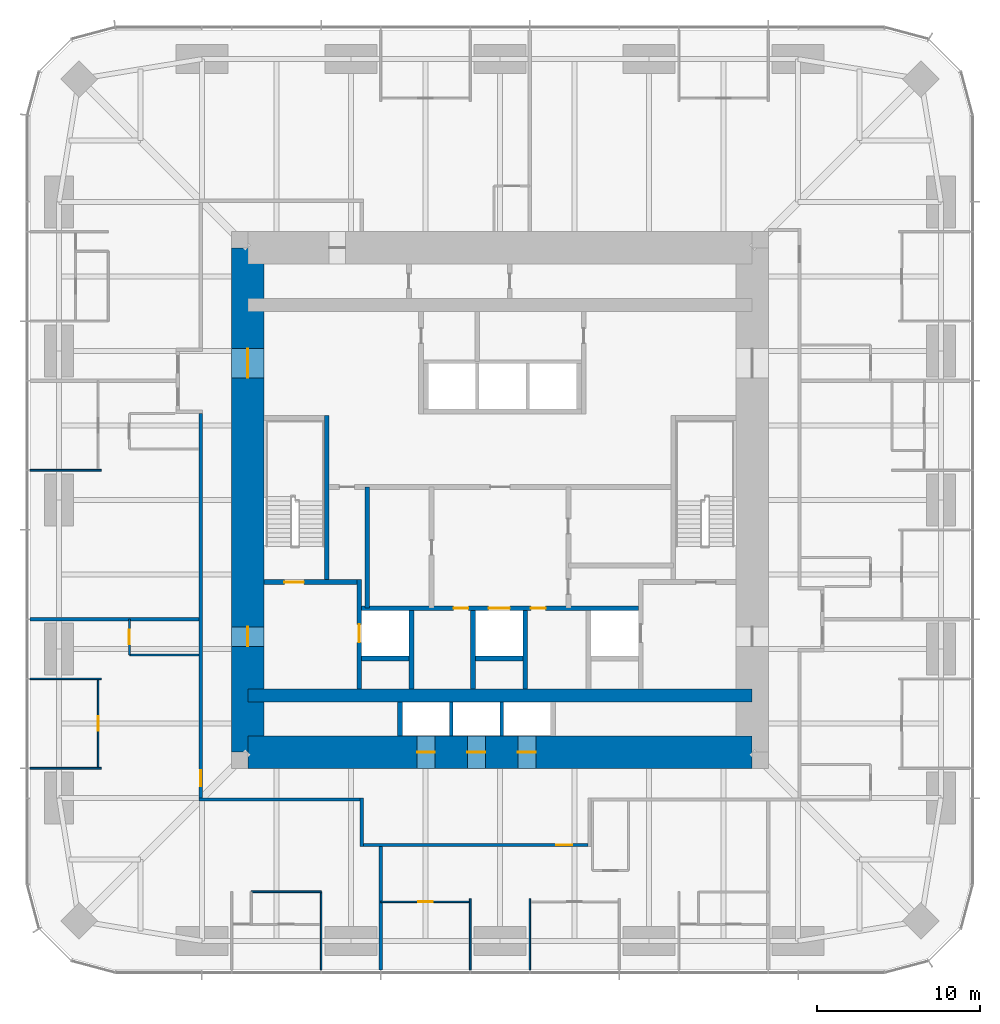
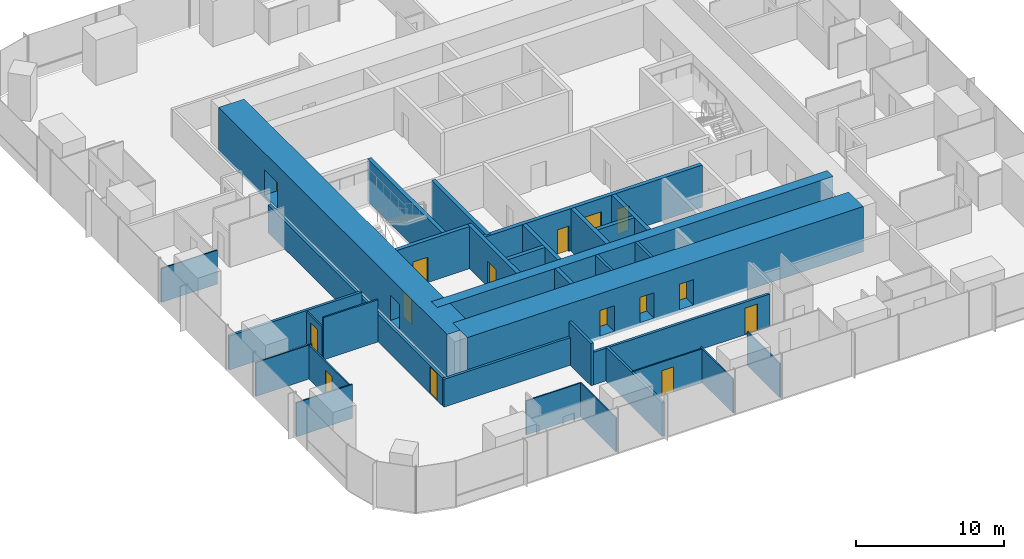
# One storey, part 9 of 13: 33 walls, 15 doors, 15 openings.
"""IFC4 building model written with IfcOpenShell, lengths in metres."""

import ifcopenshell
import ifcopenshell.guid

model = None  # the IFC model being written
_history = None  # IfcOwnerHistory: only IFC2X3 demands one
_inside = {}  # id of a spatial element -> (the spatial element, [elements in it])
_under = {}  # id of a project, library or spatial element -> (it, [spatial elements below it])
_declared = {}  # id of a project -> (the project, [libraries it declares])
_typed = {}  # id of a type object -> (the type object, [elements of that type])
_made_of = {}  # id of a material, layer set ... -> (it, [elements and type objects made of it])


def new_model(schema):
    """Start an empty IFC model of exactly this schema.

    Asked for "IFC4X3", IfcOpenShell would pick the latest addendum, in which some entities
    have other attributes; the version numbers below select the first issue.
    IFC2X3 requires an IfcOwnerHistory on every rooted entity: one is made here for all.
    """
    global model, _history
    if schema == "IFC4X3":
        model = ifcopenshell.file(schema_version=(4, 3, 0, 0))
    else:
        model = ifcopenshell.file(schema=schema)
    _inside.clear()
    _under.clear()
    _declared.clear()
    _typed.clear()
    _made_of.clear()
    _history = None
    if model.schema == "IFC2X3":
        org = make("IfcOrganization", Name="unknown")
        user = make(
            "IfcPersonAndOrganization",
            ThePerson=make("IfcPerson", FamilyName="unknown"),
            TheOrganization=org,
        )
        app = make(
            "IfcApplication",
            ApplicationDeveloper=org,
            Version="unknown",
            ApplicationFullName="unknown",
            ApplicationIdentifier="unknown",
        )
        _history = make(
            "IfcOwnerHistory",
            OwningUser=user,
            OwningApplication=app,
            ChangeAction="ADDED",
            CreationDate=0,
        )
    return model


def make(cls, **values):
    """One entity of the class cls with the attributes given. An attribute that is None is left unset."""
    return model.create_entity(
        cls, **{name: value for name, value in values.items() if value is not None}
    )


def rooted(cls, **values):
    """An entity with a GlobalId (a new one), such as an element, a storey or a relation."""
    return make(cls, GlobalId=ifcopenshell.guid.new(), OwnerHistory=_history, **values)


def si_unit(unit_type, name, prefix=None):
    """IfcSIUnit, for example si_unit("LENGTHUNIT", "METRE", prefix="MILLI")."""
    return make("IfcSIUnit", UnitType=unit_type, Prefix=prefix, Name=name)


def assignment(units):
    """IfcUnitAssignment: the units of a project."""
    return None if units is None else make("IfcUnitAssignment", Units=units)


def point(xyz):
    """IfcCartesianPoint."""
    return None if xyz is None else make("IfcCartesianPoint", Coordinates=xyz)


def direction(xyz):
    """IfcDirection."""
    return None if xyz is None else make("IfcDirection", DirectionRatios=xyz)


def frame(location, z_axis=None, x_axis=None):
    """IfcAxis2Placement3D, a coordinate frame: its origin and axes. An axis left out is left unset."""
    return make(
        "IfcAxis2Placement3D",
        Location=point(location),
        Axis=direction(z_axis),
        RefDirection=direction(x_axis),
    )


def frame_2d(location, x_axis=None):
    """IfcAxis2Placement2D, a coordinate frame in the plane: its origin and x axis."""
    return make(
        "IfcAxis2Placement2D", Location=point(location), RefDirection=direction(x_axis)
    )


def origin():
    """The frame at (0, 0, 0) with its axes left unset."""
    return frame((0.0, 0.0, 0.0))


def place(relative_to, where):
    """IfcLocalPlacement: puts the frame where relative to a parent placement (None: the world)."""
    return make(
        "IfcLocalPlacement", PlacementRelTo=relative_to, RelativePlacement=where
    )


def context(
    kind, dimensions, precision=None, world=None, true_north=None, identifier=None
):
    """IfcGeometricRepresentationContext, for example the 3D "Model" context."""
    return make(
        "IfcGeometricRepresentationContext",
        ContextIdentifier=identifier,
        ContextType=kind,
        CoordinateSpaceDimension=dimensions,
        Precision=precision,
        WorldCoordinateSystem=world,
        TrueNorth=true_north,
    )


def subcontext(parent, identifier, kind, view, scale=None):
    """IfcGeometricRepresentationSubContext, for example "Body" below "Model"."""
    return make(
        "IfcGeometricRepresentationSubContext",
        ContextIdentifier=identifier,
        ContextType=kind,
        ParentContext=parent,
        TargetScale=scale,
        TargetView=view,
    )


def project(units=None, contexts=None):
    """IfcProject with its units and contexts."""
    return rooted(
        "IfcProject",
        Name="project",
        RepresentationContexts=contexts,
        UnitsInContext=assignment(units),
    )


def spatial(cls, under=None, at=None, **own):
    """A site, building, storey or space (cls), placed at a placement, below another one or the project."""
    s = rooted(cls, ObjectPlacement=at, **own)
    if under is not None:
        _under.setdefault(under.id(), (under, []))[1].append(s)
    return s


def profile(cls, at=None, kind="AREA", **sizes):
    """A parametric profile (cls). Its sizes go by their IFC names, for example OverallWidth=200.0."""
    return make(cls, ProfileType=kind, Position=at, **sizes)


def rectangle(**sizes):
    """IfcRectangleProfileDef."""
    return profile("IfcRectangleProfileDef", **sizes)


def extrude(swept, where, along, depth):
    """IfcExtrudedAreaSolid: the profile swept, set in the frame where, extruded along a direction by depth."""
    return make(
        "IfcExtrudedAreaSolid",
        SweptArea=swept,
        Position=where,
        ExtrudedDirection=direction(along),
        Depth=depth,
    )


def shape(context_of_items, identifier, shape_type, items):
    """IfcShapeRepresentation: the items that make up one representation, for example the "Body"."""
    return make(
        "IfcShapeRepresentation",
        ContextOfItems=context_of_items,
        RepresentationIdentifier=identifier,
        RepresentationType=shape_type,
        Items=items,
    )


def material(Name=None, Category=None):
    """IfcMaterial."""
    return make("IfcMaterial", Name=Name, Category=Category)


def layer(
    of_material, thickness, ventilated=None, Name=None, Category=None, Priority=None
):
    """IfcMaterialLayer: one layer of a wall or slab, of a material (None: an air gap)."""
    return make(
        "IfcMaterialLayer",
        Material=of_material,
        LayerThickness=thickness,
        IsVentilated=ventilated,
        Name=Name,
        Category=Category,
        Priority=Priority,
    )


def layer_set(layers, Name=None):
    """IfcMaterialLayerSet."""
    return make("IfcMaterialLayerSet", MaterialLayers=layers, LayerSetName=Name)


def made_of(thing, what):
    """Note that an element or type object is made of a material, layer set ...; save() writes the relation."""
    if what is not None:
        _made_of.setdefault(what.id(), (what, []))[1].append(thing)
    return thing


def type_object(cls, material=None, **own):
    """A type object (cls), such as IfcWallType, which elements share."""
    return made_of(rooted(cls, **own), material)


def element(
    cls,
    number,
    at=None,
    inside=None,
    cuts=None,
    type_object=None,
    material=None,
    context=None,
    identifier="Body",
    shape_type=None,
    held_by="IfcProductDefinitionShape",
    body=None,
    shapes=None,
    **own,
):
    """One element of the class cls, such as IfcWall. Its Tag is "e" and its number.

    at: its placement. inside: the storey or other place that contains it. cuts: it is an
    opening in that element (IfcRelVoidsElement). A single representation is given by context,
    identifier, shape_type and body (its items); several are given by shapes. held_by: the class
    of the entity that holds the representations. save() writes the other relations.
    """
    e = rooted(cls, Tag="e%d" % number, ObjectPlacement=at, **own)
    if body is not None:
        shapes = [shape(context, identifier, shape_type, body)]
    if shapes is not None:
        e.Representation = make(held_by, Representations=shapes)
    if inside is not None:
        _inside.setdefault(inside.id(), (inside, []))[1].append(e)
    if cuts is not None:
        rooted(
            "IfcRelVoidsElement", RelatingBuildingElement=cuts, RelatedOpeningElement=e
        )
    if type_object is not None:
        _typed.setdefault(type_object.id(), (type_object, []))[1].append(e)
    return made_of(e, material)


def fill(opening, filler):
    """IfcRelFillsElement: the door or window that sits in an opening."""
    return rooted(
        "IfcRelFillsElement",
        RelatingOpeningElement=opening,
        RelatedBuildingElement=filler,
    )


def aggregate(whole, parts):
    """IfcRelAggregates: a whole, such as a stair, and the parts it consists of."""
    return rooted("IfcRelAggregates", RelatingObject=whole, RelatedObjects=parts)


def save(model, path):
    """Write the relations noted so far, then the file.

    IfcRelAggregates (storeys below a building ...), IfcRelContainedInSpatialStructure (elements
    in a storey), IfcRelDefinesByType, IfcRelAssociatesMaterial and IfcRelDeclares: one each for
    every whole, place, type object, material and project.
    """
    for whole, parts in _under.values():
        aggregate(whole, parts)
    for where, things in _inside.values():
        rooted(
            "IfcRelContainedInSpatialStructure",
            RelatedElements=things,
            RelatingStructure=where,
        )
    for kind, things in _typed.values():
        rooted("IfcRelDefinesByType", RelatedObjects=things, RelatingType=kind)
    for what, things in _made_of.values():
        rooted("IfcRelAssociatesMaterial", RelatedObjects=things, RelatingMaterial=what)
    for by, libraries in _declared.values():
        rooted("IfcRelDeclares", RelatingContext=by, RelatedDefinitions=libraries)
    model.write(path)


model = new_model("IFC4")

# Units and contexts
model_context = context("Model", 3, precision=1e-05, world=origin(), true_north=direction((0.0, 1.0)))
body_context = subcontext(model_context, "Body", "Model", "MODEL_VIEW")
ifc_project = project(units=[si_unit("LENGTHUNIT", "METRE"), si_unit("AREAUNIT", "SQUARE_METRE"), si_unit("VOLUMEUNIT", "CUBIC_METRE"), si_unit("PLANEANGLEUNIT", "RADIAN"), si_unit("MASSUNIT", "GRAM", prefix="KILO")], contexts=[model_context])

# Site, building, storey
site_placement = place(None, origin())
site = spatial("IfcSite", under=ifc_project, at=site_placement, CompositionType="ELEMENT")
building_placement = place(site_placement, origin())
building = spatial("IfcBuilding", under=site, at=building_placement, Name="Khuree Lantern Residences", CompositionType="ELEMENT")
storey_placement = place(building_placement, frame((0.0, 0.0, 129.75)))
storey = spatial("IfcBuildingStorey", under=building, at=storey_placement, Name="L32", CompositionType="ELEMENT", Elevation=129.75)

# Wall, opening, door
ifc_material_1 = material(Name="Moisture-resistant gypsum board on steel studs", Category="steel")
ifc_layer_1 = layer(ifc_material_1, 0.125)
ifc_layer_set_1 = layer_set([ifc_layer_1], Name="BATHROOM WALL BTW125")
wall_type_1 = type_object("IfcWallType", Name="BATHROOM WALL BTW125", PredefinedType="PARTITIONING", material=ifc_layer_set_1)
wall_1_placement = place(storey_placement, frame((-22.77978515625, -7.327880859375, 0.0), z_axis=(0.0, 0.0, 1.0), x_axis=(0.0, -1.0, 0.0)))
wall_1 = element("IfcWall", 1, at=wall_1_placement, inside=storey, type_object=wall_type_1, Name="L32 BATHROOM WALL 05", PredefinedType="PARTITIONING", context=body_context, shape_type="SweptSolid", body=[
    extrude(rectangle(XDim=2.2001953125, YDim=0.125, at=frame_2d((1.10009765625, 0.0))), origin(), (0.0, 0.0, 1.0), 2.699951171875),
])
opening_1_placement = place(wall_1_placement, frame((0.64990234375, 0.0, 0.0)))
opening_1 = element("IfcOpeningElement", 2, at=opening_1_placement, cuts=wall_1, Name="Opening 32-045", PredefinedType="OPENING", context=body_context, shape_type="SweptSolid", body=[
    extrude(rectangle(XDim=0.89990234375, YDim=2.10009765625, at=frame_2d((0.449951171875, 1.050048828125))), frame((0.0, 0.072509765625, 0.0), z_axis=(0.0, -1.0, 0.0), x_axis=(1.0, 0.0, 0.0)), (0.0, 0.0, 1.0), 0.14501953125),
])
ifc_material_2 = material(Name="Timber door leaf in hardwood frame", Category="wood")
door_type_1 = type_object("IfcDoorType", Name="BATHROOM DOOR 900X2100", OperationType="SINGLE_SWING_LEFT", PredefinedType="DOOR", material=ifc_material_2)
door_1_placement = place(opening_1_placement, origin())
door_1 = element("IfcDoor", 3, at=door_1_placement, inside=storey, type_object=door_type_1, Name="Bathroom door 32-045", OperationType="SINGLE_SWING_LEFT", OverallHeight=2.10009765625, OverallWidth=0.89990234375, PredefinedType="DOOR", context=body_context, shape_type="SweptSolid", body=[
    extrude(rectangle(XDim=0.89990234375, YDim=2.10009765625, at=frame_2d((0.449951171875, 1.050048828125))), frame((0.0, 0.02490234375, 0.0), z_axis=(0.0, -1.0, 0.0), x_axis=(1.0, 0.0, 0.0)), (0.0, 0.0, 1.0), 0.050048828125),
])
fill(opening_1, door_1)

# Wall
wall_2_placement = place(storey_placement, frame((-18.5, -9.528076171875, 0.0), z_axis=(0.0, 0.0, 1.0), x_axis=(-1.0, 0.0, 0.0)))
element("IfcWall", 4, at=wall_2_placement, inside=storey, type_object=wall_type_1, Name="L32 BATHROOM WALL 05", PredefinedType="PARTITIONING", context=body_context, shape_type="SweptSolid", body=[
    extrude(rectangle(XDim=4.27978515625, YDim=0.125, at=frame_2d((2.139892578125, 0.0))), origin(), (0.0, 0.0, 1.0), 3.5),
])

# Wall, opening, door
ifc_material_3 = material(Name="Dense concrete blockwork", Category="masonry")
ifc_layer_2 = layer(ifc_material_3, 0.300048828125)
ifc_layer_set_2 = layer_set([ifc_layer_2], Name="CORE PARTITION WALL CPW300 EI 120")
wall_type_2 = type_object("IfcWallType", Name="CORE PARTITION WALL CPW300 EI 120", PredefinedType="PARTITIONING", material=ifc_layer_set_2)
wall_3_placement = place(storey_placement, frame((-8.64990234375, -11.60009765625, 0.0), z_axis=(0.0, 0.0, 1.0), x_axis=(0.0, 1.0, 0.0)))
wall_3 = element("IfcWall", 5, at=wall_3_placement, inside=storey, type_object=wall_type_2, Name="L32 CORE WALL FL1W", PredefinedType="PARTITIONING", context=body_context, shape_type="SweptSolid", body=[
    extrude(rectangle(XDim=6.7001953125, YDim=0.300048828125, at=frame_2d((3.35009765625, 0.0))), origin(), (0.0, 0.0, 1.0), 3.5),
])
opening_2_placement = place(wall_3_placement, frame((2.85009765625, 0.0, 0.0)))
opening_2 = element("IfcOpeningElement", 6, at=opening_2_placement, cuts=wall_3, Name="Opening 32-007", PredefinedType="OPENING", context=body_context, shape_type="SweptSolid", body=[
    extrude(rectangle(XDim=1.10009765625, YDim=2.10009765625, at=frame_2d((0.550048828125, 1.050048828125))), frame((0.0, 0.16015625, 0.0), z_axis=(0.0, -1.0, 0.0), x_axis=(1.0, 0.0, 0.0)), (0.0, 0.0, 1.0), 0.320068359375),
])
ifc_material_4 = material(Name="Stainless steel lift landing door", Category="steel")
door_type_2 = type_object("IfcDoorType", Name="LIFT LANDING DOOR 1100X2100 E 120", OperationType="DOUBLE_DOOR_SLIDING", PredefinedType="DOOR", material=ifc_material_4)
door_2_placement = place(opening_2_placement, origin())
door_2 = element("IfcDoor", 7, at=door_2_placement, inside=storey, type_object=door_type_2, Name="Landing door FL1 32-007", OperationType="DOUBLE_DOOR_SLIDING", OverallHeight=2.10009765625, OverallWidth=1.10009765625, PredefinedType="DOOR", context=body_context, shape_type="SweptSolid", body=[
    extrude(rectangle(XDim=1.10009765625, YDim=2.10009765625, at=frame_2d((0.550048828125, 1.050048828125))), frame((0.0, 0.02490234375, 0.0), z_axis=(0.0, -1.0, 0.0), x_axis=(1.0, 0.0, 0.0)), (0.0, 0.0, 1.0), 0.050048828125),
])
fill(opening_2, door_2)

# Wall, openings, doors
wall_4_placement = place(storey_placement, frame((-8.5, -6.64990234375, 0.0), z_axis=(0.0, 0.0, 1.0), x_axis=(1.0, 0.0, 0.0)))
wall_4 = element("IfcWall", 8, at=wall_4_placement, inside=storey, type_object=wall_type_2, Name="L32 CORE WALL FLROW", PredefinedType="PARTITIONING", context=body_context, shape_type="SweptSolid", body=[
    extrude(rectangle(XDim=17.0, YDim=0.300048828125, at=frame_2d((8.5, 0.0))), origin(), (0.0, 0.0, 1.0), 3.5),
])
opening_3_placement = place(wall_4_placement, frame((7.800048828125, 0.0, 0.0)))
opening_3 = element("IfcOpeningElement", 9, at=opening_3_placement, cuts=wall_4, Name="Opening 32-012", PredefinedType="OPENING", context=body_context, shape_type="SweptSolid", body=[
    extrude(rectangle(XDim=1.300048828125, YDim=2.39990234375, at=frame_2d((0.64990234375, 1.199951171875))), frame((0.0, 0.16015625, 0.0), z_axis=(0.0, -1.0, 0.0), x_axis=(1.0, 0.0, 0.0)), (0.0, 0.0, 1.0), 0.320068359375),
])
opening_4_placement = place(wall_4_placement, frame((5.64990234375, 0.0, 0.0)))
opening_4 = element("IfcOpeningElement", 10, at=opening_4_placement, cuts=wall_4, Name="Opening 32-014", PredefinedType="OPENING", context=body_context, shape_type="SweptSolid", body=[
    extrude(rectangle(XDim=0.89990234375, YDim=2.10009765625, at=frame_2d((0.449951171875, 1.050048828125))), frame((0.0, 0.16015625, 0.0), z_axis=(0.0, -1.0, 0.0), x_axis=(1.0, 0.0, 0.0)), (0.0, 0.0, 1.0), 0.320068359375),
])
opening_5_placement = place(wall_4_placement, frame((10.39990234375, 0.0, 0.0)))
opening_5 = element("IfcOpeningElement", 11, at=opening_5_placement, cuts=wall_4, Name="Opening 32-015", PredefinedType="OPENING", context=body_context, shape_type="SweptSolid", body=[
    extrude(rectangle(XDim=0.89990234375, YDim=2.10009765625, at=frame_2d((0.449951171875, 1.050048828125))), frame((0.0, 0.16015625, 0.0), z_axis=(0.0, -1.0, 0.0), x_axis=(1.0, 0.0, 0.0)), (0.0, 0.0, 1.0), 0.320068359375),
])
ifc_material_5 = material(Name="Steel door leaf in steel frame", Category="steel")
door_type_3 = type_object("IfcDoorType", Name="DOOR 900X2100 EI 60", OperationType="SINGLE_SWING_LEFT", PredefinedType="DOOR", material=ifc_material_5)
door_3_placement = place(opening_4_placement, origin())
door_3 = element("IfcDoor", 12, at=door_3_placement, inside=storey, type_object=door_type_3, Name="Refuse chute room door 32-014", OperationType="SINGLE_SWING_LEFT", OverallHeight=2.10009765625, OverallWidth=0.89990234375, PredefinedType="DOOR", context=body_context, shape_type="SweptSolid", body=[
    extrude(rectangle(XDim=0.89990234375, YDim=2.10009765625, at=frame_2d((0.449951171875, 1.050048828125))), frame((0.0, 0.02490234375, 0.0), z_axis=(0.0, -1.0, 0.0), x_axis=(1.0, 0.0, 0.0)), (0.0, 0.0, 1.0), 0.050048828125),
])
fill(opening_4, door_3)
door_type_4 = type_object("IfcDoorType", Name="DOOR 900X2100 EI 60 RIGHT HAND", OperationType="SINGLE_SWING_RIGHT", PredefinedType="DOOR", material=ifc_material_5)
door_4_placement = place(opening_5_placement, origin())
door_4 = element("IfcDoor", 13, at=door_4_placement, inside=storey, type_object=door_type_4, Name="Electrical and plumbing riser door 32-015", OperationType="SINGLE_SWING_RIGHT", OverallHeight=2.10009765625, OverallWidth=0.89990234375, PredefinedType="DOOR", context=body_context, shape_type="SweptSolid", body=[
    extrude(rectangle(XDim=0.89990234375, YDim=2.10009765625, at=frame_2d((0.449951171875, 1.050048828125))), frame((0.0, 0.02490234375, 0.0), z_axis=(0.0, -1.0, 0.0), x_axis=(1.0, 0.0, 0.0)), (0.0, 0.0, 1.0), 0.050048828125),
])
fill(opening_5, door_4)
door_type_5 = type_object("IfcDoorType", Name="LIFT LANDING DOOR 1300X2400 E 60", OperationType="DOUBLE_DOOR_SLIDING", PredefinedType="DOOR", material=ifc_material_4)
door_5_placement = place(opening_3_placement, origin())
door_5 = element("IfcDoor", 14, at=door_5_placement, inside=storey, type_object=door_type_5, Name="Landing door SL1 32-012", OperationType="DOUBLE_DOOR_SLIDING", OverallHeight=2.39990234375, OverallWidth=1.300048828125, PredefinedType="DOOR", context=body_context, shape_type="SweptSolid", body=[
    extrude(rectangle(XDim=1.300048828125, YDim=2.39990234375, at=frame_2d((0.64990234375, 1.199951171875))), frame((0.0, 0.02490234375, 0.0), z_axis=(0.0, -1.0, 0.0), x_axis=(1.0, 0.0, 0.0)), (0.0, 0.0, 1.0), 0.050048828125),
])
fill(opening_3, door_5)

# Walls
for number, where, z_axis, x_axis, name in (
    (15, (-5.449951171875, -11.60009765625, 0.0), (0.0, 0.0, 1.0), (0.0, 1.0, 0.0), "L32 CORE WALL FL1E"),
    (16, (-1.64990234375, -11.60009765625, 0.0), (0.0, 0.0, 1.0), (0.0, 1.0, 0.0), "L32 CORE WALL SL1W"),
    (17, (1.550048828125, -11.60009765625, 0.0), (0.0, 0.0, 1.0), (0.0, 1.0, 0.0), "L32 CORE WALL SL1E"),
):
    element("IfcWall", number, at=place(storey_placement, frame(where, z_axis=z_axis, x_axis=x_axis)), inside=storey, type_object=wall_type_2, Name=name, PredefinedType="PARTITIONING", context=body_context, shape_type="SweptSolid", body=[
        extrude(rectangle(XDim=4.800048828125, YDim=0.300048828125, at=frame_2d((2.39990234375, 0.0))), origin(), (0.0, 0.0, 1.0), 3.5),
    ])
for number, where, z_axis, x_axis, name in (
    (18, (-8.5, -9.75, 0.0), (0.0, 0.0, 1.0), (1.0, 0.0, 0.0), "L32 CORE WALL FL1S"),
    (19, (-1.5, -9.75, 0.0), (0.0, 0.0, 1.0), (1.0, 0.0, 0.0), "L32 CORE WALL SL1S"),
):
    element("IfcWall", number, at=place(storey_placement, frame(where, z_axis=z_axis, x_axis=x_axis)), inside=storey, type_object=wall_type_2, Name=name, PredefinedType="PARTITIONING", context=body_context, shape_type="SweptSolid", body=[
        extrude(rectangle(XDim=2.89990234375, YDim=0.300048828125, at=frame_2d((1.449951171875, 0.0))), origin(), (0.0, 0.0, 1.0), 3.5),
    ])
wall_5_placement = place(storey_placement, frame((-6.14990234375, -14.5, 0.0), z_axis=(0.0, 0.0, 1.0), x_axis=(0.0, 1.0, 0.0)))
element("IfcWall", 20, at=wall_5_placement, inside=storey, type_object=wall_type_2, Name="L32 CORE WALL PMW", PredefinedType="PARTITIONING", context=body_context, shape_type="SweptSolid", body=[
    extrude(rectangle(XDim=2.10009765625, YDim=0.300048828125, at=frame_2d((1.050048828125, 0.0))), origin(), (0.0, 0.0, 1.0), 3.5),
])
wall_6_placement = place(storey_placement, frame((-8.1630859375, -6.64990234375, 0.0), z_axis=(0.0, 0.0, 1.0), x_axis=(0.0, 1.0, 0.0)))
element("IfcWall", 21, at=wall_6_placement, inside=storey, type_object=wall_type_2, Name="L32 CORE WALL WV", PredefinedType="PARTITIONING", context=body_context, shape_type="SweptSolid", body=[
    extrude(rectangle(XDim=7.449951171875, YDim=0.300048828125, at=frame_2d((3.72509765625, 0.0))), origin(), (0.0, 0.0, 1.0), 3.5),
])

# Wall, opening, door
ifc_material_6 = material(Name="Gypsum board on steel studs", Category="steel")
ifc_layer_3 = layer(ifc_material_6, 0.199951171875)
ifc_layer_set_3 = layer_set([ifc_layer_3], Name="CORRIDOR WALL CRW200 EI 60")
wall_type_3 = type_object("IfcWallType", Name="CORRIDOR WALL CRW200 EI 60", PredefinedType="PARTITIONING", material=ifc_layer_set_3)
wall_7_placement = place(storey_placement, frame((-18.39990234375, 5.327880859375, 0.0), z_axis=(0.0, 0.0, 1.0), x_axis=(0.0, -1.0, 0.0)))
wall_7 = element("IfcWall", 22, at=wall_7_placement, inside=storey, type_object=wall_type_3, Name="L32 CORRIDOR WALL WEST 2", PredefinedType="PARTITIONING", context=body_context, shape_type="SweptSolid", body=[
    extrude(rectangle(XDim=23.6279296875, YDim=0.199951171875, at=frame_2d((11.81396484375, 0.0))), origin(), (0.0, 0.0, 1.0), 2.300048828125),
])
opening_6_placement = place(wall_7_placement, frame((21.926025390625, 0.0, 0.0)))
opening_6 = element("IfcOpeningElement", 23, at=opening_6_placement, cuts=wall_7, Name="Opening 32-046", PredefinedType="OPENING", context=body_context, shape_type="SweptSolid", body=[
    extrude(rectangle(XDim=1.0, YDim=2.199951171875, at=frame_2d((0.5, 1.10009765625))), frame((0.0, 0.10986328125, 0.0), z_axis=(0.0, -1.0, 0.0), x_axis=(1.0, 0.0, 0.0)), (0.0, 0.0, 1.0), 0.219970703125),
])
door_type_6 = type_object("IfcDoorType", Name="APARTMENT ENTRANCE DOOR 1000X2200 EI 30S RIGHT HAND", OperationType="SINGLE_SWING_RIGHT", PredefinedType="DOOR", material=ifc_material_2)
door_6_placement = place(opening_6_placement, origin())
door_6 = element("IfcDoor", 24, at=door_6_placement, inside=storey, type_object=door_type_6, Name="Apartment 05 entrance door 32-046", OperationType="SINGLE_SWING_RIGHT", OverallHeight=2.199951171875, OverallWidth=1.0, PredefinedType="DOOR", context=body_context, shape_type="SweptSolid", body=[
    extrude(rectangle(XDim=1.0, YDim=2.199951171875, at=frame_2d((0.5, 1.10009765625))), frame((0.0, 0.02490234375, 0.0), z_axis=(0.0, -1.0, 0.0), x_axis=(1.0, 0.0, 0.0)), (0.0, 0.0, 1.0), 0.050048828125),
])
fill(opening_6, door_6)

# Wall
wall_8_placement = place(storey_placement, frame((-8.5, -18.300048828125, 0.0), z_axis=(0.0, 0.0, 1.0), x_axis=(0.0, -1.0, 0.0)))
element("IfcWall", 25, at=wall_8_placement, inside=storey, type_object=wall_type_3, Name="L32 LIFT LOBBY WALL", PredefinedType="PARTITIONING", context=body_context, shape_type="SweptSolid", body=[
    extrude(rectangle(XDim=3.0, YDim=0.199951171875, at=frame_2d((1.5, 0.0))), origin(), (0.0, 0.0, 1.0), 3.5),
])

# Wall, opening, door
wall_9_placement = place(storey_placement, frame((5.39990234375, -21.199951171875, 0.0), z_axis=(0.0, 0.0, 1.0), x_axis=(-1.0, 0.0, 0.0)))
wall_9 = element("IfcWall", 26, at=wall_9_placement, inside=storey, type_object=wall_type_3, Name="L32 LIFT LOBBY WALL", PredefinedType="PARTITIONING", context=body_context, shape_type="SweptSolid", body=[
    extrude(rectangle(XDim=13.7998046875, YDim=0.199951171875, at=frame_2d((6.89990234375, 0.0))), origin(), (0.0, 0.0, 1.0), 2.699951171875),
])
opening_7_placement = place(wall_9_placement, frame((0.9580078125, 0.0, 0.0)))
opening_7 = element("IfcOpeningElement", 27, at=opening_7_placement, cuts=wall_9, Name="Opening 32-052", PredefinedType="OPENING", context=body_context, shape_type="SweptSolid", body=[
    extrude(rectangle(XDim=1.0, YDim=2.199951171875, at=frame_2d((0.5, 1.10009765625))), frame((0.0, 0.10986328125, 0.0), z_axis=(0.0, -1.0, 0.0), x_axis=(1.0, 0.0, 0.0)), (0.0, 0.0, 1.0), 0.219970703125),
])
door_type_7 = type_object("IfcDoorType", Name="APARTMENT ENTRANCE DOOR 1000X2200 EI 30S", OperationType="SINGLE_SWING_LEFT", PredefinedType="DOOR", material=ifc_material_2)
door_7_placement = place(opening_7_placement, origin())
door_7 = element("IfcDoor", 28, at=door_7_placement, inside=storey, type_object=door_type_7, Name="Apartment 06 entrance door 32-052", OperationType="SINGLE_SWING_LEFT", OverallHeight=2.199951171875, OverallWidth=1.0, PredefinedType="DOOR", context=body_context, shape_type="SweptSolid", body=[
    extrude(rectangle(XDim=1.0, YDim=2.199951171875, at=frame_2d((0.5, 1.10009765625))), frame((0.0, 0.02490234375, 0.0), z_axis=(0.0, -1.0, 0.0), x_axis=(1.0, 0.0, 0.0)), (0.0, 0.0, 1.0), 0.050048828125),
])
fill(opening_7, door_7)

# Wall
wall_10_placement = place(storey_placement, frame((-8.60009765625, -18.39990234375, 0.0), z_axis=(0.0, 0.0, 1.0), x_axis=(-1.0, 0.0, 0.0)))
element("IfcWall", 29, at=wall_10_placement, inside=storey, type_object=wall_type_3, Name="L32 CORRIDOR WALL SOUTH 2", PredefinedType="PARTITIONING", context=body_context, shape_type="SweptSolid", body=[
    extrude(rectangle(XDim=9.89990234375, YDim=0.199951171875, at=frame_2d((4.949951171875, 0.0))), origin(), (0.0, 0.0, 1.0), 2.300048828125),
])

# Wall, openings, doors
ifc_material_7 = material(Name="Concrete C70/85", Category="concrete")
ifc_layer_4 = layer(ifc_material_7, 2.0)
ifc_layer_set_4 = layer_set([ifc_layer_4], Name="CW2000-C70 CORE WALL C70 2000")
wall_type_4 = type_object("IfcWallType", Name="CW2000-C70 CORE WALL C70 2000", PredefinedType="SHEAR", material=ifc_layer_set_4)
wall_11_placement = place(storey_placement, frame((-15.5, -15.5, -0.25), z_axis=(0.0, 0.0, 1.0), x_axis=(1.0, 0.0, 0.0)))
wall_11 = element("IfcWall", 30, at=wall_11_placement, inside=storey, type_object=wall_type_4, Name="Core wall S", PredefinedType="SHEAR", context=body_context, shape_type="SweptSolid", body=[
    extrude(rectangle(XDim=31.0, YDim=2.0, at=frame_2d((15.5, 0.0))), origin(), (0.0, 0.0, 1.0), 3.75),
])
opening_8_placement = place(wall_11_placement, frame((10.39990234375, 0.0, 0.25)))
opening_8 = element("IfcOpeningElement", 31, at=opening_8_placement, cuts=wall_11, Name="Opening 32-009", PredefinedType="OPENING", context=body_context, shape_type="SweptSolid", body=[
    extrude(rectangle(XDim=1.10009765625, YDim=2.10009765625, at=frame_2d((0.550048828125, 1.050048828125))), frame((0.0, 1.010009765625, 0.0), z_axis=(0.0, -1.0, 0.0), x_axis=(1.0, 0.0, 0.0)), (0.0, 0.0, 1.0), 2.02001953125),
])
opening_9_placement = place(wall_11_placement, frame((13.5, 0.0, 0.25)))
opening_9 = element("IfcOpeningElement", 32, at=opening_9_placement, cuts=wall_11, Name="Opening 32-010", PredefinedType="OPENING", context=body_context, shape_type="SweptSolid", body=[
    extrude(rectangle(XDim=1.10009765625, YDim=2.10009765625, at=frame_2d((0.550048828125, 1.050048828125))), frame((0.0, 1.010009765625, 0.0), z_axis=(0.0, -1.0, 0.0), x_axis=(1.0, 0.0, 0.0)), (0.0, 0.0, 1.0), 2.02001953125),
])
opening_10_placement = place(wall_11_placement, frame((16.60009765625, 0.0, 0.25)))
opening_10 = element("IfcOpeningElement", 33, at=opening_10_placement, cuts=wall_11, Name="Opening 32-011", PredefinedType="OPENING", context=body_context, shape_type="SweptSolid", body=[
    extrude(rectangle(XDim=1.10009765625, YDim=2.10009765625, at=frame_2d((0.550048828125, 1.050048828125))), frame((0.0, 1.010009765625, 0.0), z_axis=(0.0, -1.0, 0.0), x_axis=(1.0, 0.0, 0.0)), (0.0, 0.0, 1.0), 2.02001953125),
])
door_type_8 = type_object("IfcDoorType", Name="LIFT LANDING DOOR 1100X2100 E 60", OperationType="DOUBLE_DOOR_SLIDING", PredefinedType="DOOR", material=ifc_material_4)
door_8_placement = place(opening_8_placement, origin())
door_8 = element("IfcDoor", 34, at=door_8_placement, inside=storey, type_object=door_type_8, Name="Landing door PM1 32-009", OperationType="DOUBLE_DOOR_SLIDING", OverallHeight=2.10009765625, OverallWidth=1.10009765625, PredefinedType="DOOR", context=body_context, shape_type="SweptSolid", body=[
    extrude(rectangle(XDim=1.10009765625, YDim=2.10009765625, at=frame_2d((0.550048828125, 1.050048828125))), frame((0.0, 0.02490234375, 0.0), z_axis=(0.0, -1.0, 0.0), x_axis=(1.0, 0.0, 0.0)), (0.0, 0.0, 1.0), 0.050048828125),
])
fill(opening_8, door_8)
door_9_placement = place(opening_9_placement, origin())
door_9 = element("IfcDoor", 35, at=door_9_placement, inside=storey, type_object=door_type_8, Name="Landing door PM2 32-010", OperationType="DOUBLE_DOOR_SLIDING", OverallHeight=2.10009765625, OverallWidth=1.10009765625, PredefinedType="DOOR", context=body_context, shape_type="SweptSolid", body=[
    extrude(rectangle(XDim=1.10009765625, YDim=2.10009765625, at=frame_2d((0.550048828125, 1.050048828125))), frame((0.0, 0.02490234375, 0.0), z_axis=(0.0, -1.0, 0.0), x_axis=(1.0, 0.0, 0.0)), (0.0, 0.0, 1.0), 0.050048828125),
])
fill(opening_9, door_9)
door_10_placement = place(opening_10_placement, origin())
door_10 = element("IfcDoor", 36, at=door_10_placement, inside=storey, type_object=door_type_8, Name="Landing door PM3 32-011", OperationType="DOUBLE_DOOR_SLIDING", OverallHeight=2.10009765625, OverallWidth=1.10009765625, PredefinedType="DOOR", context=body_context, shape_type="SweptSolid", body=[
    extrude(rectangle(XDim=1.10009765625, YDim=2.10009765625, at=frame_2d((0.550048828125, 1.050048828125))), frame((0.0, 0.02490234375, 0.0), z_axis=(0.0, -1.0, 0.0), x_axis=(1.0, 0.0, 0.0)), (0.0, 0.0, 1.0), 0.050048828125),
])
fill(opening_10, door_10)

wall_12_placement = place(storey_placement, frame((-15.5, -15.5, -0.25), z_axis=(0.0, 0.0, 1.0), x_axis=(0.0, 1.0, 0.0)))
wall_12 = element("IfcWall", 37, at=wall_12_placement, inside=storey, type_object=wall_type_4, Name="Core wall W", PredefinedType="SHEAR", context=body_context, shape_type="SweptSolid", body=[
    extrude(rectangle(XDim=31.0, YDim=2.0, at=frame_2d((15.5, 0.0))), origin(), (0.0, 0.0, 1.0), 3.75),
])
opening_11_placement = place(wall_12_placement, frame((6.5, 0.0, 0.25)))
opening_11 = element("IfcOpeningElement", 38, at=opening_11_placement, cuts=wall_12, Name="Opening 32-002", PredefinedType="OPENING", context=body_context, shape_type="SweptSolid", body=[
    extrude(rectangle(XDim=1.199951171875, YDim=2.10009765625, at=frame_2d((0.60009765625, 1.050048828125))), frame((0.0, 1.010009765625, 0.0), z_axis=(0.0, -1.0, 0.0), x_axis=(1.0, 0.0, 0.0)), (0.0, 0.0, 1.0), 2.02001953125),
])
opening_12_placement = place(wall_12_placement, frame((23.0, 0.0, 0.25)))
opening_12 = element("IfcOpeningElement", 39, at=opening_12_placement, cuts=wall_12, Name="Opening 32-003", PredefinedType="OPENING", context=body_context, shape_type="SweptSolid", body=[
    extrude(rectangle(XDim=1.800048828125, YDim=2.10009765625, at=frame_2d((0.89990234375, 1.050048828125))), frame((0.0, 1.010009765625, 0.0), z_axis=(0.0, -1.0, 0.0), x_axis=(1.0, 0.0, 0.0)), (0.0, 0.0, 1.0), 2.02001953125),
])
door_type_9 = type_object("IfcDoorType", Name="LOBBY DOOR 1200X2100 EI 120", OperationType="SINGLE_SWING_LEFT", PredefinedType="DOOR", material=ifc_material_5)
door_11_placement = place(opening_11_placement, origin())
door_11 = element("IfcDoor", 40, at=door_11_placement, inside=storey, type_object=door_type_9, Name="Firefighting lobby door 32-002", OperationType="SINGLE_SWING_LEFT", OverallHeight=2.10009765625, OverallWidth=1.199951171875, PredefinedType="DOOR", context=body_context, shape_type="SweptSolid", body=[
    extrude(rectangle(XDim=1.199951171875, YDim=2.10009765625, at=frame_2d((0.60009765625, 1.050048828125))), frame((0.0, 0.02490234375, 0.0), z_axis=(0.0, -1.0, 0.0), x_axis=(1.0, 0.0, 0.0)), (0.0, 0.0, 1.0), 0.050048828125),
])
fill(opening_11, door_11)
door_type_10 = type_object("IfcDoorType", Name="LOBBY DOUBLE DOOR 1800X2100 EI 60", OperationType="DOUBLE_DOOR_SINGLE_SWING", PredefinedType="DOOR", material=ifc_material_5)
door_12_placement = place(opening_12_placement, origin())
door_12 = element("IfcDoor", 41, at=door_12_placement, inside=storey, type_object=door_type_10, Name="Lift lobby door 32-003", OperationType="DOUBLE_DOOR_SINGLE_SWING", OverallHeight=2.10009765625, OverallWidth=1.800048828125, PredefinedType="DOOR", context=body_context, shape_type="SweptSolid", body=[
    extrude(rectangle(XDim=1.800048828125, YDim=2.10009765625, at=frame_2d((0.89990234375, 1.050048828125))), frame((0.0, 0.02490234375, 0.0), z_axis=(0.0, -1.0, 0.0), x_axis=(1.0, 0.0, 0.0)), (0.0, 0.0, 1.0), 0.050048828125),
])
fill(opening_12, door_12)

# Walls
ifc_layer_5 = layer(ifc_material_6, 0.199951171875)
ifc_layer_set_5 = layer_set([ifc_layer_5], Name="DEMISING WALL DMW200 EI 90")
wall_type_5 = type_object("IfcWallType", Name="DEMISING WALL DMW200 EI 90", PredefinedType="PARTITIONING", material=ifc_layer_set_5)
wall_13_placement = place(storey_placement, frame((-18.5, -7.327880859375, 0.0), z_axis=(0.0, 0.0, 1.0), x_axis=(-1.0, 0.0, 0.0)))
element("IfcWall", 42, at=wall_13_placement, inside=storey, type_object=wall_type_5, Name="L32 DEMISING WALL 05", PredefinedType="PARTITIONING", context=body_context, shape_type="SweptSolid", body=[
    extrude(rectangle(XDim=10.39990234375, YDim=0.199951171875, at=frame_2d((5.199951171875, 0.0))), origin(), (0.0, 0.0, 1.0), 2.81005859375),
])
wall_14_placement = place(storey_placement, frame((-7.327880859375, -21.300048828125, 0.0), z_axis=(0.0, 0.0, 1.0), x_axis=(0.0, -1.0, 0.0)))
element("IfcWall", 43, at=wall_14_placement, inside=storey, type_object=wall_type_5, Name="L32 DEMISING WALL 06", PredefinedType="PARTITIONING", context=body_context, shape_type="SweptSolid", body=[
    extrude(rectangle(XDim=7.599853515625, YDim=0.199951171875, at=frame_2d((3.7998046875, 0.0))), origin(), (0.0, 0.0, 1.0), 2.81005859375),
])
ifc_layer_6 = layer(ifc_material_6, 0.10009765625)
ifc_layer_set_6 = layer_set([ifc_layer_6], Name="PARTITION PT100")
wall_type_6 = type_object("IfcWallType", Name="PARTITION PT100", PredefinedType="PARTITIONING", material=ifc_layer_set_6)
for number, where, z_axis, x_axis, name in (
    (44, (-24.5, 1.83203125, 0.0), (0.0, 0.0, 1.0), (-1.0, 0.0, 0.0), "L32 PARTITION 04"),
    (45, (-24.5, -10.991943359375, 0.0), (0.0, 0.0, 1.0), (-1.0, 0.0, 0.0), "L32 PARTITION 05"),
    (46, (-24.5, -16.488037109375, 0.0), (0.0, 0.0, 1.0), (-1.0, 0.0, 0.0), "L32 PARTITION 05"),
):
    element("IfcWall", number, at=place(storey_placement, frame(where, z_axis=z_axis, x_axis=x_axis)), inside=storey, type_object=wall_type_6, Name=name, PredefinedType="PARTITIONING", context=body_context, shape_type="SweptSolid", body=[
        extrude(rectangle(XDim=4.39990234375, YDim=0.10009765625, at=frame_2d((2.199951171875, 0.0))), origin(), (0.0, 0.0, 1.0), 2.81005859375),
    ])
wall_15_placement = place(storey_placement, frame((-10.991943359375, -24.079833984375, 0.0), z_axis=(0.0, 0.0, 1.0), x_axis=(0.0, -1.0, 0.0)))
element("IfcWall", 47, at=wall_15_placement, inside=storey, type_object=wall_type_6, Name="L32 PARTITION 05", PredefinedType="PARTITIONING", context=body_context, shape_type="SweptSolid", body=[
    extrude(rectangle(XDim=4.820068359375, YDim=0.10009765625, at=frame_2d((2.41015625, 0.0))), origin(), (0.0, 0.0, 1.0), 2.81005859375),
])
for number, where, z_axis, x_axis, name in (
    (48, (-1.83203125, -24.5, 0.0), (0.0, 0.0, 1.0), (0.0, -1.0, 0.0), "L32 PARTITION 06"),
    (49, (1.83203125, -24.5, 0.0), (0.0, 0.0, 1.0), (0.0, -1.0, 0.0), "L32 PARTITION 06"),
):
    element("IfcWall", number, at=place(storey_placement, frame(where, z_axis=z_axis, x_axis=x_axis)), inside=storey, type_object=wall_type_6, Name=name, PredefinedType="PARTITIONING", context=body_context, shape_type="SweptSolid", body=[
        extrude(rectangle(XDim=4.39990234375, YDim=0.10009765625, at=frame_2d((2.199951171875, 0.0))), origin(), (0.0, 0.0, 1.0), 2.81005859375),
    ])

# Wall, opening, door
wall_16_placement = place(storey_placement, frame((-24.699951171875, -10.991943359375, 0.0), z_axis=(0.0, 0.0, 1.0), x_axis=(0.0, -1.0, 0.0)))
wall_16 = element("IfcWall", 50, at=wall_16_placement, inside=storey, type_object=wall_type_6, Name="L32 PARTITION 05", PredefinedType="PARTITIONING", context=body_context, shape_type="SweptSolid", body=[
    extrude(rectangle(XDim=5.49609375, YDim=0.10009765625, at=frame_2d((2.748046875, 0.0))), origin(), (0.0, 0.0, 1.0), 2.81005859375),
])
opening_13_placement = place(wall_16_placement, frame((2.298095703125, 0.0, 0.0)))
opening_13 = element("IfcOpeningElement", 51, at=opening_13_placement, cuts=wall_16, Name="Opening 32-042", PredefinedType="OPENING", context=body_context, shape_type="SweptSolid", body=[
    extrude(rectangle(XDim=0.89990234375, YDim=2.10009765625, at=frame_2d((0.449951171875, 1.050048828125))), frame((0.0, 0.06005859375, 0.0), z_axis=(0.0, -1.0, 0.0), x_axis=(1.0, 0.0, 0.0)), (0.0, 0.0, 1.0), 0.1201171875),
])
door_type_11 = type_object("IfcDoorType", Name="BEDROOM DOOR 900X2100", OperationType="SINGLE_SWING_LEFT", PredefinedType="DOOR", material=ifc_material_2)
door_13_placement = place(opening_13_placement, origin())
door_13 = element("IfcDoor", 52, at=door_13_placement, inside=storey, type_object=door_type_11, Name="Bedroom door 32-042", OperationType="SINGLE_SWING_LEFT", OverallHeight=2.10009765625, OverallWidth=0.89990234375, PredefinedType="DOOR", context=body_context, shape_type="SweptSolid", body=[
    extrude(rectangle(XDim=0.89990234375, YDim=2.10009765625, at=frame_2d((0.449951171875, 1.050048828125))), frame((0.0, 0.02490234375, 0.0), z_axis=(0.0, -1.0, 0.0), x_axis=(1.0, 0.0, 0.0)), (0.0, 0.0, 1.0), 0.050048828125),
])
fill(opening_13, door_13)

# Wall
wall_17_placement = place(storey_placement, frame((-15.2880859375, -24.079833984375, 0.0), z_axis=(0.0, 0.0, 1.0), x_axis=(1.0, 0.0, 0.0)))
element("IfcWall", 53, at=wall_17_placement, inside=storey, type_object=wall_type_6, Name="L32 PARTITION 05", PredefinedType="PARTITIONING", context=body_context, shape_type="SweptSolid", body=[
    extrude(rectangle(XDim=4.296142578125, YDim=0.10009765625, at=frame_2d((2.14794921875, 0.0))), origin(), (0.0, 0.0, 1.0), 2.81005859375),
])

# Wall, opening, door
wall_18_placement = place(storey_placement, frame((-7.327880859375, -24.699951171875, 0.0), z_axis=(0.0, 0.0, 1.0), x_axis=(1.0, 0.0, 0.0)))
wall_18 = element("IfcWall", 54, at=wall_18_placement, inside=storey, type_object=wall_type_6, Name="L32 PARTITION 06", PredefinedType="PARTITIONING", context=body_context, shape_type="SweptSolid", body=[
    extrude(rectangle(XDim=5.495849609375, YDim=0.10009765625, at=frame_2d((2.748046875, 0.0))), origin(), (0.0, 0.0, 1.0), 2.81005859375),
])
opening_14_placement = place(wall_18_placement, frame((2.298095703125, 0.0, 0.0)))
opening_14 = element("IfcOpeningElement", 55, at=opening_14_placement, cuts=wall_18, Name="Opening 32-047", PredefinedType="OPENING", context=body_context, shape_type="SweptSolid", body=[
    extrude(rectangle(XDim=0.89990234375, YDim=2.10009765625, at=frame_2d((0.449951171875, 1.050048828125))), frame((0.0, 0.06005859375, 0.0), z_axis=(0.0, -1.0, 0.0), x_axis=(1.0, 0.0, 0.0)), (0.0, 0.0, 1.0), 0.1201171875),
])
door_14_placement = place(opening_14_placement, origin())
door_14 = element("IfcDoor", 56, at=door_14_placement, inside=storey, type_object=door_type_11, Name="Bedroom door 32-047", OperationType="SINGLE_SWING_LEFT", OverallHeight=2.10009765625, OverallWidth=0.89990234375, PredefinedType="DOOR", context=body_context, shape_type="SweptSolid", body=[
    extrude(rectangle(XDim=0.89990234375, YDim=2.10009765625, at=frame_2d((0.449951171875, 1.050048828125))), frame((0.0, 0.02490234375, 0.0), z_axis=(0.0, -1.0, 0.0), x_axis=(1.0, 0.0, 0.0)), (0.0, 0.0, 1.0), 0.050048828125),
])
fill(opening_14, door_14)

# Walls
ifc_layer_7 = layer(ifc_material_3, 0.199951171875)
ifc_layer_set_7 = layer_set([ifc_layer_7], Name="SHAFT WALL SHW200 EI 120")
wall_type_7 = type_object("IfcWallType", Name="SHAFT WALL SHW200 EI 120", PredefinedType="PARTITIONING", material=ifc_layer_set_7)
for number, where, z_axis, x_axis, name in (
    (57, (-3.0, -14.5, 0.0), (0.0, 0.0, 1.0), (0.0, 1.0, 0.0), "L32 CORE WALL PMD1"),
    (58, (0.10009765625, -14.5, 0.0), (0.0, 0.0, 1.0), (0.0, 1.0, 0.0), "L32 CORE WALL PMD2"),
):
    element("IfcWall", number, at=place(storey_placement, frame(where, z_axis=z_axis, x_axis=x_axis)), inside=storey, type_object=wall_type_7, Name=name, PredefinedType="PARTITIONING", context=body_context, shape_type="SweptSolid", body=[
        extrude(rectangle(XDim=2.10009765625, YDim=0.199951171875, at=frame_2d((1.050048828125, 0.0))), origin(), (0.0, 0.0, 1.0), 3.5),
    ])
ifc_layer_8 = layer(ifc_material_7, 0.800048828125)
ifc_layer_set_8 = layer_set([ifc_layer_8], Name="SP800-C70 CORE SPINE WALL C70 800")
wall_type_8 = type_object("IfcWallType", Name="SP800-C70 CORE SPINE WALL C70 800", PredefinedType="SHEAR", material=ifc_layer_set_8)
wall_19_placement = place(storey_placement, frame((-15.5, -12.0, -0.25), z_axis=(0.0, 0.0, 1.0), x_axis=(1.0, 0.0, 0.0)))
element("IfcWall", 59, at=wall_19_placement, inside=storey, type_object=wall_type_8, Name="Core wall SPS", PredefinedType="SHEAR", context=body_context, shape_type="SweptSolid", body=[
    extrude(rectangle(XDim=31.0, YDim=0.800048828125, at=frame_2d((15.5, 0.0))), origin(), (0.0, 0.0, 1.0), 3.75),
])
ifc_material_8 = material(Name="Concrete C50/60", Category="concrete")
ifc_layer_9 = layer(ifc_material_8, 0.300048828125)
ifc_layer_set_9 = layer_set([ifc_layer_9], Name="STAIR WALL SRW300 C50/60 REI 240")
wall_type_9 = type_object("IfcWallType", Name="STAIR WALL SRW300 C50/60 REI 240", PredefinedType="SOLIDWALL", material=ifc_layer_set_9)
wall_20_placement = place(storey_placement, frame((-10.64990234375, -4.89990234375, 0.0), z_axis=(0.0, 0.0, 1.0), x_axis=(0.0, 1.0, 0.0)))
element("IfcWall", 60, at=wall_20_placement, inside=storey, type_object=wall_type_9, Name="L32 STAIR WALL ST1E", PredefinedType="SOLIDWALL", context=body_context, shape_type="SweptSolid", body=[
    extrude(rectangle(XDim=10.099853515625, YDim=0.300048828125, at=frame_2d((5.0498046875, 0.0))), origin(), (0.0, 0.0, 1.0), 3.5),
])

# Wall, opening, door
wall_21_placement = place(storey_placement, frame((-14.5, -5.050048828125, 0.0), z_axis=(0.0, 0.0, 1.0), x_axis=(1.0, 0.0, 0.0)))
wall_21 = element("IfcWall", 61, at=wall_21_placement, inside=storey, type_object=wall_type_9, Name="L32 STAIR WALL ST1S", PredefinedType="SOLIDWALL", context=body_context, shape_type="SweptSolid", body=[
    extrude(rectangle(XDim=5.699951171875, YDim=0.300048828125, at=frame_2d((2.85009765625, 0.0))), origin(), (0.0, 0.0, 1.0), 3.5),
])
opening_15_placement = place(wall_21_placement, frame((1.25, 0.0, 0.0)))
opening_15 = element("IfcOpeningElement", 62, at=opening_15_placement, cuts=wall_21, Name="Opening 32-001", PredefinedType="OPENING", context=body_context, shape_type="SweptSolid", body=[
    extrude(rectangle(XDim=1.199951171875, YDim=2.10009765625, at=frame_2d((0.60009765625, 1.050048828125))), frame((0.0, 0.16015625, 0.0), z_axis=(0.0, -1.0, 0.0), x_axis=(1.0, 0.0, 0.0)), (0.0, 0.0, 1.0), 0.320068359375),
])
door_type_12 = type_object("IfcDoorType", Name="STAIR DOOR 1200X2100 EI 120", OperationType="SINGLE_SWING_LEFT", PredefinedType="DOOR", material=ifc_material_5)
door_15_placement = place(opening_15_placement, origin())
door_15 = element("IfcDoor", 63, at=door_15_placement, inside=storey, type_object=door_type_12, Name="Stair ST1 door 32-001", OperationType="SINGLE_SWING_LEFT", OverallHeight=2.10009765625, OverallWidth=1.199951171875, PredefinedType="DOOR", context=body_context, shape_type="SweptSolid", body=[
    extrude(rectangle(XDim=1.199951171875, YDim=2.10009765625, at=frame_2d((0.60009765625, 1.050048828125))), frame((0.0, 0.02490234375, 0.0), z_axis=(0.0, -1.0, 0.0), x_axis=(1.0, 0.0, 0.0)), (0.0, 0.0, 1.0), 0.050048828125),
])
fill(opening_15, door_15)

save(model, "model.ifc")
